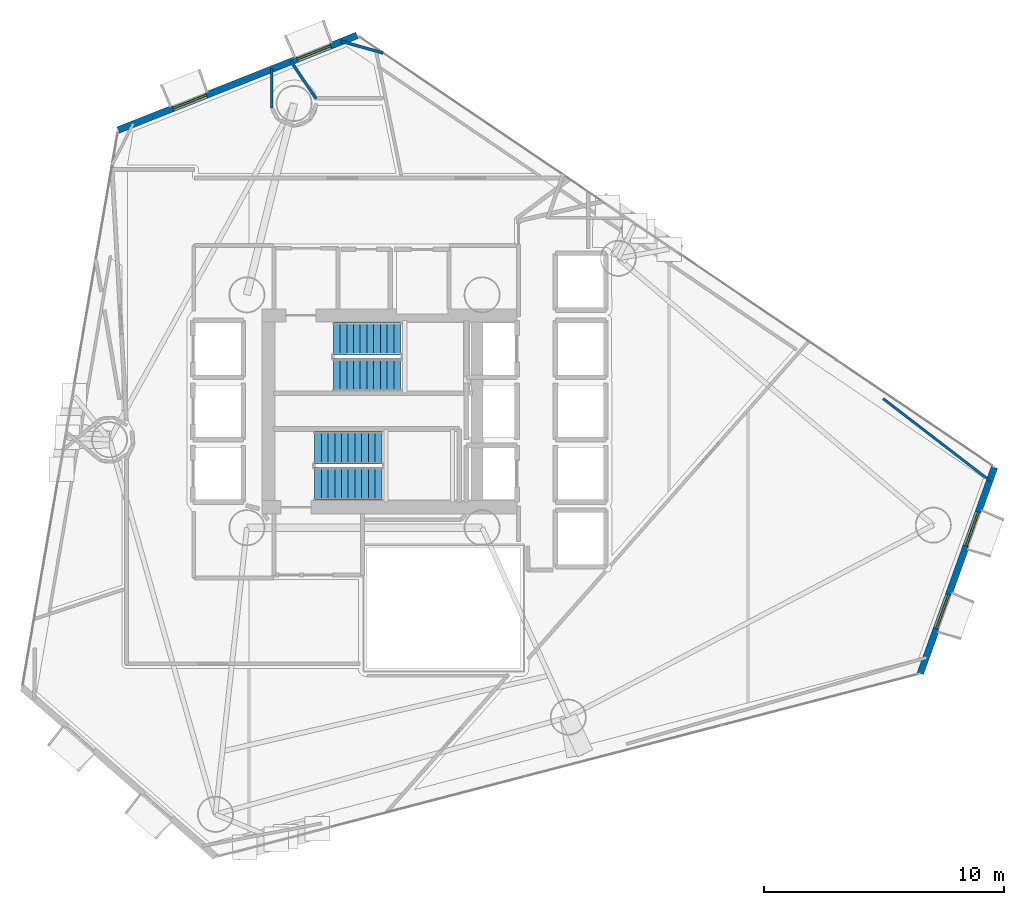
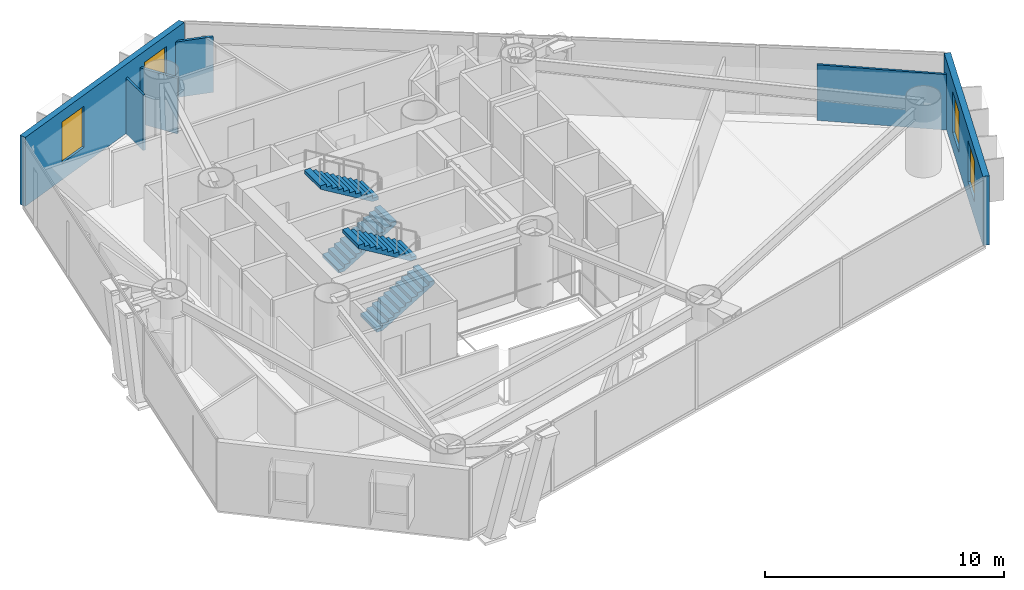
# One storey, part 18 of 21: 6 walls, 4 stair flights, 4 windows, 4 openings, 2 elements without a shape of their own.
"""IFC4 building model written with IfcOpenShell, lengths in metres."""

from ifc_helpers import new_model, si_unit, direction, frame, frame_2d, origin, place, context, subcontext, project, spatial, polyline, rectangle, outline, extrude, material, layer, layer_set, type_object, element, fill, aggregate, save


model = new_model("IFC4")

# Units and contexts
model_context = context("Model", 3, precision=1e-05, world=origin(), true_north=direction((0.0, 1.0)))
body_context = subcontext(model_context, "Body", "Model", "MODEL_VIEW")
ifc_project = project(units=[si_unit("LENGTHUNIT", "METRE"), si_unit("AREAUNIT", "SQUARE_METRE"), si_unit("VOLUMEUNIT", "CUBIC_METRE"), si_unit("PLANEANGLEUNIT", "RADIAN"), si_unit("MASSUNIT", "GRAM", prefix="KILO")], contexts=[model_context])

# Site, building, storey
site_placement = place(None, origin())
site = spatial("IfcSite", under=ifc_project, at=site_placement, CompositionType="ELEMENT")
building_placement = place(site_placement, origin())
building = spatial("IfcBuilding", under=site, at=building_placement, Name="Qianvela Tower", CompositionType="ELEMENT")
storey_placement = place(building_placement, frame((0.0, 0.0, 112.60009765625)))
storey = spatial("IfcBuildingStorey", under=building, at=storey_placement, Name="L28", CompositionType="ELEMENT", Elevation=112.60009765625)

# Wall, openings, windows
ifc_material_1 = material(Name="Terracotta Cladding on Concrete C40", Category="masonry")
ifc_layer_1 = layer(ifc_material_1, 0.280029296875)
ifc_layer_set_1 = layer_set([ifc_layer_1], Name="Terracotta Cladding on Concrete C40")
wall_type_1 = type_object("IfcWallType", Name="TERRACOTTA-WALL-280", PredefinedType="SOLIDWALL", material=ifc_layer_set_1)
wall_1_placement = place(storey_placement, frame((56.656494140625, 17.77783203125, 0.0), z_axis=(0.0, 0.0, 1.0), x_axis=(0.338454364394, 0.940982807081, 0.0)))
wall_1 = element("IfcWall", 1, at=wall_1_placement, inside=storey, type_object=wall_type_1, Name="L28 Terracotta Chamfer Facet Wall 1", PredefinedType="SOLIDWALL", context=body_context, shape_type="SweptSolid", body=[
    extrude(rectangle(XDim=9.13134765625, YDim=0.280029296875, at=frame_2d((4.565673828125, 0.0))), origin(), (0.0, 0.0, 1.0), 3.52001953125),
])
opening_1_placement = place(wall_1_placement, frame((1.989501953125, 0.0, 0.85009765625)))
opening_1 = element("IfcOpeningElement", 2, at=opening_1_placement, cuts=wall_1, Name="Opening W-02", PredefinedType="OPENING", context=body_context, shape_type="SweptSolid", body=[
    extrude(rectangle(XDim=1.5, YDim=2.10009765625, at=frame_2d((0.75, 1.050048828125))), frame((0.0, 0.14990234375, 0.0), z_axis=(0.0, -1.0, 0.0), x_axis=(1.0, 0.0, 0.0)), (0.0, 0.0, 1.0), 0.300048828125),
])
opening_2_placement = place(wall_1_placement, frame((5.64208984375, 0.0, 0.85009765625)))
opening_2 = element("IfcOpeningElement", 3, at=opening_2_placement, cuts=wall_1, Name="Opening W-02", PredefinedType="OPENING", context=body_context, shape_type="SweptSolid", body=[
    extrude(rectangle(XDim=1.5, YDim=2.10009765625, at=frame_2d((0.75, 1.050048828125))), frame((0.0, 0.14990234375, 0.0), z_axis=(0.0, -1.0, 0.0), x_axis=(1.0, 0.0, 0.0)), (0.0, 0.0, 1.0), 0.300048828125),
])
ifc_material_2 = material(Name="Thermally Broken Aluminium and Low-E Glass", Category="aluminium")
window_type = type_object("IfcWindowType", Name="WIN-TC-1500x2100", PartitioningType="DOUBLE_PANEL_VERTICAL", PredefinedType="WINDOW", material=ifc_material_2)
window_1_placement = place(opening_1_placement, origin())
window_1 = element("IfcWindow", 4, at=window_1_placement, inside=storey, type_object=window_type, Name="L28 Chamfer Facet Window 1.1", OverallHeight=2.10009765625, OverallWidth=1.5, PartitioningType="SINGLE_PANEL", PredefinedType="WINDOW", context=body_context, shape_type="SweptSolid", body=[
    extrude(rectangle(XDim=1.5, YDim=2.10009765625, at=frame_2d((0.75, 1.050048828125))), frame((0.0, 0.030029296875, 0.0), z_axis=(0.0, -1.0, 0.0), x_axis=(1.0, 0.0, 0.0)), (0.0, 0.0, 1.0), 0.06005859375),
])
fill(opening_1, window_1)
window_2_placement = place(opening_2_placement, origin())
window_2 = element("IfcWindow", 5, at=window_2_placement, inside=storey, type_object=window_type, Name="L28 Chamfer Facet Window 1.2", OverallHeight=2.10009765625, OverallWidth=1.5, PartitioningType="SINGLE_PANEL", PredefinedType="WINDOW", context=body_context, shape_type="SweptSolid", body=[
    extrude(rectangle(XDim=1.5, YDim=2.10009765625, at=frame_2d((0.75, 1.050048828125))), frame((0.0, 0.030029296875, 0.0), z_axis=(0.0, -1.0, 0.0), x_axis=(1.0, 0.0, 0.0)), (0.0, 0.0, 1.0), 0.06005859375),
])
fill(opening_2, window_2)

wall_2_placement = place(storey_placement, frame((33.188232421875, 44.36083984375, 0.0), z_axis=(0.0, 0.0, 1.0), x_axis=(-0.929607947385, -0.368549947983, 0.0)))
wall_2 = element("IfcWall", 6, at=wall_2_placement, inside=storey, type_object=wall_type_1, Name="L28 Terracotta Chamfer Facet Wall 3", PredefinedType="SOLIDWALL", context=body_context, shape_type="SweptSolid", body=[
    extrude(rectangle(XDim=10.705078125, YDim=0.280029296875, at=frame_2d((5.3525390625, 0.0))), origin(), (0.0, 0.0, 1.0), 3.52001953125),
])
opening_3_placement = place(wall_2_placement, frame((1.181396484375, 0.0, 0.85009765625)))
opening_3 = element("IfcOpeningElement", 7, at=opening_3_placement, cuts=wall_2, Name="Opening W-02", PredefinedType="OPENING", context=body_context, shape_type="SweptSolid", body=[
    extrude(rectangle(XDim=1.5, YDim=2.10009765625, at=frame_2d((0.75, 1.050048828125))), frame((0.0, 0.14990234375, 0.0), z_axis=(0.0, -1.0, 0.0), x_axis=(1.0, 0.0, 0.0)), (0.0, 0.0, 1.0), 0.300048828125),
])
opening_4_placement = place(wall_2_placement, frame((6.743408203125, 0.0, 0.85009765625)))
opening_4 = element("IfcOpeningElement", 8, at=opening_4_placement, cuts=wall_2, Name="Opening W-02", PredefinedType="OPENING", context=body_context, shape_type="SweptSolid", body=[
    extrude(rectangle(XDim=1.5, YDim=2.10009765625, at=frame_2d((0.75, 1.050048828125))), frame((0.0, 0.14990234375, 0.0), z_axis=(0.0, -1.0, 0.0), x_axis=(1.0, 0.0, 0.0)), (0.0, 0.0, 1.0), 0.300048828125),
])
window_3_placement = place(opening_3_placement, origin())
window_3 = element("IfcWindow", 9, at=window_3_placement, inside=storey, type_object=window_type, Name="L28 Chamfer Facet Window 3.1", OverallHeight=2.10009765625, OverallWidth=1.5, PartitioningType="SINGLE_PANEL", PredefinedType="WINDOW", context=body_context, shape_type="SweptSolid", body=[
    extrude(rectangle(XDim=1.5, YDim=2.10009765625, at=frame_2d((0.75, 1.050048828125))), frame((0.0, 0.030029296875, 0.0), z_axis=(0.0, -1.0, 0.0), x_axis=(1.0, 0.0, 0.0)), (0.0, 0.0, 1.0), 0.06005859375),
])
fill(opening_3, window_3)
window_4_placement = place(opening_4_placement, origin())
window_4 = element("IfcWindow", 10, at=window_4_placement, inside=storey, type_object=window_type, Name="L28 Chamfer Facet Window 3.2", OverallHeight=2.10009765625, OverallWidth=1.5, PartitioningType="SINGLE_PANEL", PredefinedType="WINDOW", context=body_context, shape_type="SweptSolid", body=[
    extrude(rectangle(XDim=1.5, YDim=2.10009765625, at=frame_2d((0.75, 1.050048828125))), frame((0.0, 0.030029296875, 0.0), z_axis=(0.0, -1.0, 0.0), x_axis=(1.0, 0.0, 0.0)), (0.0, 0.0, 1.0), 0.06005859375),
])
fill(opening_4, window_4)

# Walls
ifc_material_3 = material(Name="Lightweight Gypsum Room Partition")
ifc_layer_2 = layer(ifc_material_3, 0.10498046875)
ifc_layer_set_2 = layer_set([ifc_layer_2], Name="Lightweight Gypsum Room Partition")
wall_type_2 = type_object("IfcWallType", Name="WT-PART-105", PredefinedType="PARTITIONING", material=ifc_layer_set_2)
wall_3_placement = place(storey_placement, frame((55.105712890625, 29.224365234375, 0.0), z_axis=(0.0, 0.0, 1.0), x_axis=(0.792945217065, -0.609292936717, 0.0)))
element("IfcWall", 11, at=wall_3_placement, inside=storey, type_object=wall_type_2, Name="L28 Partition 65 seg 1", PredefinedType="PARTITIONING", context=body_context, shape_type="SweptSolid", body=[
    extrude(rectangle(XDim=5.62060546875, YDim=0.10498046875, at=frame_2d((2.810302734375, 0.0))), origin(), (0.0, 0.0, 1.0), 2.83984375),
])
wall_4_placement = place(storey_placement, frame((29.640380859375, 42.974365234375, 0.0), z_axis=(0.0, 0.0, 1.0), x_axis=(0.0, -1.0, 0.0)))
element("IfcWall", 12, at=wall_4_placement, inside=storey, type_object=wall_type_2, Name="L28 Partition 95", PredefinedType="PARTITIONING", context=body_context, shape_type="SweptSolid", body=[
    extrude(rectangle(XDim=1.630859375, YDim=0.10498046875, at=frame_2d((0.8154296875, 0.0))), origin(), (0.0, 0.0, 1.0), 2.83984375),
])
ifc_material_4 = material(Name="Insulated Gypsum Stud Partition")
ifc_layer_3 = layer(ifc_material_4, 0.1201171875)
ifc_layer_set_3 = layer_set([ifc_layer_3], Name="Insulated Gypsum Stud Partition")
wall_type_3 = type_object("IfcWallType", Name="WT-PART-120", PredefinedType="PARTITIONING", material=ifc_layer_set_3)
wall_5_placement = place(storey_placement, frame((32.523681640625, 44.115234375, 0.0), z_axis=(0.0, 0.0, 1.0), x_axis=(0.962878976212, -0.269933468042, 0.0)))
element("IfcWall", 13, at=wall_5_placement, inside=storey, type_object=wall_type_3, Name="L28 Partition 88", PredefinedType="PARTITIONING", context=body_context, shape_type="SweptSolid", body=[
    extrude(rectangle(XDim=1.81982421875, YDim=0.1201171875, at=frame_2d((0.909912109375, 0.0))), origin(), (0.0, 0.0, 1.0), 2.83984375),
])
wall_6_placement = place(storey_placement, frame((31.481201171875, 41.71923828125, 0.0), z_axis=(0.0, 0.0, 1.0), x_axis=(-0.556846029643, 0.830615735025, 0.0)))
element("IfcWall", 14, at=wall_6_placement, inside=storey, type_object=wall_type_3, Name="L28 Partition 91", PredefinedType="PARTITIONING", context=body_context, shape_type="SweptSolid", body=[
    extrude(rectangle(XDim=1.888671875, YDim=0.1201171875, at=frame_2d((0.9443359375, 0.0))), origin(), (0.0, 0.0, 1.0), 2.83984375),
])

# Stair, stair flights
ifc_material_5 = material(Name="Concrete C40", Category="concrete")
stair_type = type_object("IfcStairType", Name="ST-DOGLEG-1350-R168-N22", PredefinedType="HALF_TURN_STAIR", material=ifc_material_5)
stair_1_placement = place(storey_placement, origin())
stair_1 = element("IfcStair", 15, at=stair_1_placement, inside=storey, type_object=stair_type, Name="L28 Smoke-Proof Core Stair ST-1", PredefinedType="HALF_TURN_STAIR")
ifc_material_6 = material(Name="Concrete C40", Category="concrete")
stair_flight_type = type_object("IfcStairFlightType", Name="STF-STRAIGHT-R168-P11", PredefinedType="STRAIGHT", material=ifc_material_6)
stair_flight_1_placement = place(storey_placement, frame((32.199951171875, 30.215087890625, 0.0), z_axis=(0.0, 0.0, 1.0), x_axis=(1.0, 0.0, 0.0)))
stair_flight_1 = element("IfcStairFlight", 16, at=stair_flight_1_placement, type_object=stair_flight_type, Name="ST-1 flight 1", NumberOfRisers=11, NumberOfTreads=10, PredefinedType="STRAIGHT", RiserHeight=0.168181818, TreadLength=0.28, context=body_context, shape_type="SweptSolid", body=[
    extrude(outline(polyline([(0.0, 0.0), (0.0, 0.168212890625), (0.280029296875, 0.168212890625), (0.280029296875, 0.33642578125), (0.56005859375, 0.33642578125), (0.56005859375, 0.504638671875), (0.840087890625, 0.504638671875), (0.840087890625, 0.672607421875), (1.1201171875, 0.672607421875), (1.1201171875, 0.8408203125), (1.39990234375, 0.8408203125), (1.39990234375, 1.009033203125), (1.679931640625, 1.009033203125), (1.679931640625, 1.17724609375), (1.9599609375, 1.17724609375), (1.9599609375, 1.345458984375), (2.239990234375, 1.345458984375), (2.239990234375, 1.513671875), (2.52001953125, 1.513671875), (2.52001953125, 1.681884765625), (2.800048828125, 1.681884765625), (2.800048828125, 1.85009765625), (2.800048828125, 1.5068359375), (0.291015625, 0.0), (0.0, 0.0)])), frame((0.0, 0.675048828125, 0.0), z_axis=(0.0, -1.0, 0.0), x_axis=(1.0, 0.0, 0.0)), (0.0, 0.0, 1.0), 1.35009765625),
])
stair_flight_2_placement = place(storey_placement, frame((35.0, 31.72509765625, 1.849853515625), z_axis=(0.0, 0.0, 1.0), x_axis=(-1.0, 0.0, 0.0)))
stair_flight_2 = element("IfcStairFlight", 17, at=stair_flight_2_placement, type_object=stair_flight_type, Name="ST-1 flight 2", NumberOfRisers=11, NumberOfTreads=10, PredefinedType="STRAIGHT", RiserHeight=0.168181818, TreadLength=0.28, context=body_context, shape_type="SweptSolid", body=[
    extrude(outline(polyline([(0.0, 0.0), (0.0, 0.168212890625), (0.280029296875, 0.168212890625), (0.280029296875, 0.33642578125), (0.56005859375, 0.33642578125), (0.56005859375, 0.504638671875), (0.840087890625, 0.504638671875), (0.840087890625, 0.672607421875), (1.1201171875, 0.672607421875), (1.1201171875, 0.8408203125), (1.39990234375, 0.8408203125), (1.39990234375, 1.009033203125), (1.679931640625, 1.009033203125), (1.679931640625, 1.17724609375), (1.9599609375, 1.17724609375), (1.9599609375, 1.345458984375), (2.239990234375, 1.345458984375), (2.239990234375, 1.513671875), (2.52001953125, 1.513671875), (2.52001953125, 1.681884765625), (2.800048828125, 1.681884765625), (2.800048828125, 1.85009765625), (2.800048828125, 1.5068359375), (0.291015625, 0.0), (0.0, 0.0)])), frame((0.0, 0.675048828125, 0.0), z_axis=(0.0, -1.0, 0.0), x_axis=(1.0, 0.0, 0.0)), (0.0, 0.0, 1.0), 1.35009765625),
])
aggregate(stair_1, [stair_flight_1, stair_flight_2])

stair_2_placement = place(storey_placement, origin())
stair_2 = element("IfcStair", 18, at=stair_2_placement, inside=storey, type_object=stair_type, Name="L28 Smoke-Proof Core Stair ST-2", PredefinedType="HALF_TURN_STAIR")
stair_flight_3_placement = place(storey_placement, frame((31.419921875, 25.675048828125, 0.0), z_axis=(0.0, 0.0, 1.0), x_axis=(1.0, 0.0, 0.0)))
stair_flight_3 = element("IfcStairFlight", 19, at=stair_flight_3_placement, type_object=stair_flight_type, Name="ST-2 flight 1", NumberOfRisers=11, NumberOfTreads=10, PredefinedType="STRAIGHT", RiserHeight=0.168181818, TreadLength=0.28, context=body_context, shape_type="SweptSolid", body=[
    extrude(outline(polyline([(0.0, 0.0), (0.0, 0.168212890625), (0.280029296875, 0.168212890625), (0.280029296875, 0.33642578125), (0.56005859375, 0.33642578125), (0.56005859375, 0.504638671875), (0.840087890625, 0.504638671875), (0.840087890625, 0.672607421875), (1.1201171875, 0.672607421875), (1.1201171875, 0.8408203125), (1.39990234375, 0.8408203125), (1.39990234375, 1.009033203125), (1.679931640625, 1.009033203125), (1.679931640625, 1.17724609375), (1.9599609375, 1.17724609375), (1.9599609375, 1.345458984375), (2.239990234375, 1.345458984375), (2.239990234375, 1.513671875), (2.52001953125, 1.513671875), (2.52001953125, 1.681884765625), (2.800048828125, 1.681884765625), (2.800048828125, 1.85009765625), (2.800048828125, 1.5068359375), (0.291015625, 0.0), (0.0, 0.0)])), frame((0.0, 0.675048828125, 0.0), z_axis=(0.0, -1.0, 0.0), x_axis=(1.0, 0.0, 0.0)), (0.0, 0.0, 1.0), 1.35009765625),
])
stair_flight_4_placement = place(storey_placement, frame((34.219970703125, 27.18505859375, 1.849853515625), z_axis=(0.0, 0.0, 1.0), x_axis=(-1.0, 0.0, 0.0)))
stair_flight_4 = element("IfcStairFlight", 20, at=stair_flight_4_placement, type_object=stair_flight_type, Name="ST-2 flight 2", NumberOfRisers=11, NumberOfTreads=10, PredefinedType="STRAIGHT", RiserHeight=0.168181818, TreadLength=0.28, context=body_context, shape_type="SweptSolid", body=[
    extrude(outline(polyline([(0.0, 0.0), (0.0, 0.168212890625), (0.280029296875, 0.168212890625), (0.280029296875, 0.33642578125), (0.56005859375, 0.33642578125), (0.56005859375, 0.504638671875), (0.840087890625, 0.504638671875), (0.840087890625, 0.672607421875), (1.1201171875, 0.672607421875), (1.1201171875, 0.8408203125), (1.39990234375, 0.8408203125), (1.39990234375, 1.009033203125), (1.679931640625, 1.009033203125), (1.679931640625, 1.17724609375), (1.9599609375, 1.17724609375), (1.9599609375, 1.345458984375), (2.239990234375, 1.345458984375), (2.239990234375, 1.513671875), (2.52001953125, 1.513671875), (2.52001953125, 1.681884765625), (2.800048828125, 1.681884765625), (2.800048828125, 1.85009765625), (2.800048828125, 1.5068359375), (0.291015625, 0.0), (0.0, 0.0)])), frame((0.0, 0.675048828125, 0.0), z_axis=(0.0, -1.0, 0.0), x_axis=(1.0, 0.0, 0.0)), (0.0, 0.0, 1.0), 1.35009765625),
])
aggregate(stair_2, [stair_flight_3, stair_flight_4])

save(model, "model.ifc")
